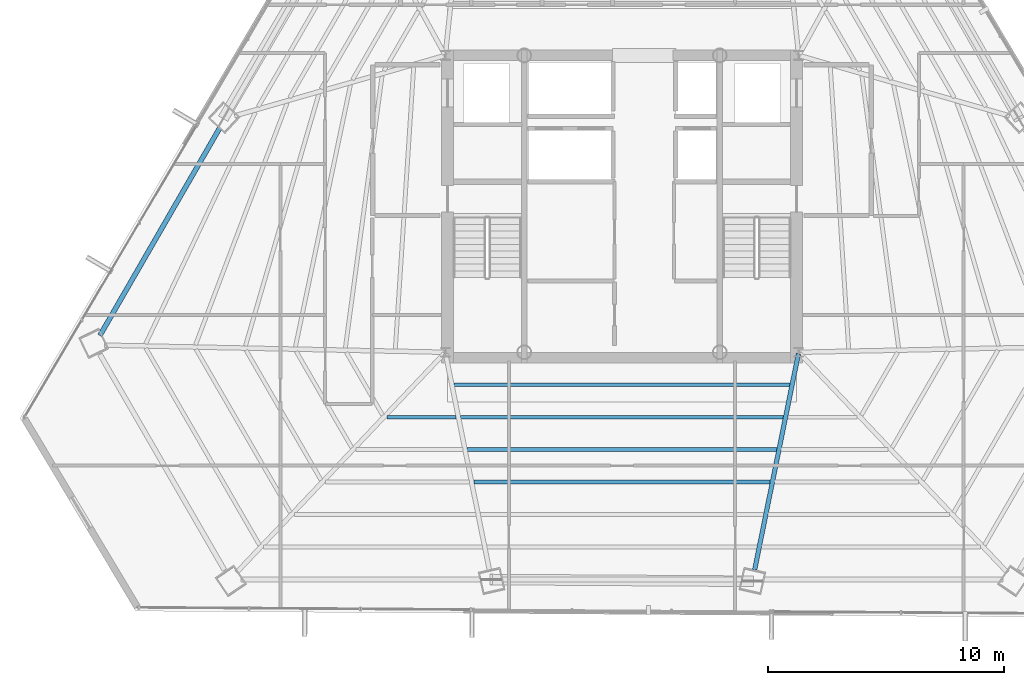
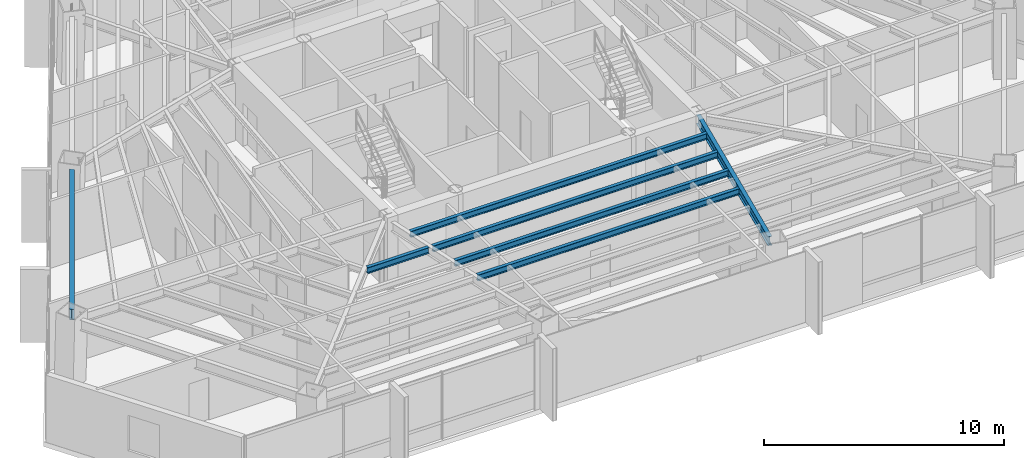
# One storey, part 11 of 41: 7 beams.
"""IFC4 building model written with IfcOpenShell, lengths in metres."""

from ifc_helpers import new_model, si_unit, direction, frame, origin, origin_2d, place, context, subcontext, project, spatial, i_section, extrude, source, transform, mapped, material, material_profile, profile_set, type_object, type_shapes, element, save


model = new_model("IFC4")

# Units and contexts
model_context = context("Model", 3, precision=1e-05, world=origin(), true_north=direction((0.0, 1.0)))
body_context = subcontext(model_context, "Body", "Model", "MODEL_VIEW")
ifc_project = project(units=[si_unit("LENGTHUNIT", "METRE"), si_unit("AREAUNIT", "SQUARE_METRE"), si_unit("VOLUMEUNIT", "CUBIC_METRE"), si_unit("PLANEANGLEUNIT", "RADIAN"), si_unit("MASSUNIT", "GRAM", prefix="KILO")], contexts=[model_context])

# Site, building, storey
site_placement = place(None, origin())
site = spatial("IfcSite", under=ifc_project, at=site_placement, CompositionType="ELEMENT")
building_placement = place(site_placement, origin())
building = spatial("IfcBuilding", under=site, at=building_placement, Name="Caelisora Broadcast Tower", CompositionType="ELEMENT")
storey_placement = place(building_placement, frame((0.0, 0.0, 173.10009765625)))
storey = spatial("IfcBuildingStorey", under=building, at=storey_placement, Name="L45", CompositionType="ELEMENT", Elevation=173.10009765625)

# Beams
ifc_material = material(Name="Steel Grade 350 (AS/NZS 3679.1)", Category="steel")
ifc_material_profile_1 = material_profile(ifc_material, i_section(OverallWidth=0.208984375, OverallDepth=0.532958984375, WebThickness=0.01025390625, FlangeThickness=0.015625, at=origin_2d()), Name="Steel Grade 350 (AS/NZS 3679.1)")
ifc_profile_set_1 = profile_set([ifc_material_profile_1], Name="Steel Grade 350 (AS/NZS 3679.1)")
beam_type_1 = type_object("IfcBeamType", Name="PG05", PredefinedType="BEAM", material=ifc_profile_set_1)
shared_shape_1 = source(origin(), body_context, "Body", "SweptSolid", [
    extrude(i_section(OverallWidth=0.208984375, OverallDepth=0.532958984375, WebThickness=0.01025390625, FlangeThickness=0.015625, at=origin_2d()), origin(), (0.0, 0.0, 1.0), 10.174072265625),
])
type_shapes(beam_type_1, [shared_shape_1])
beam_1_placement = place(storey_placement, frame((20.92724609375, 26.920654296875, 3.13330078125), z_axis=(-0.50000771687, -0.866020948402, 0.0), x_axis=(0.866020948402, -0.50000771687, 0.0)))
element("IfcBeam", 1, at=beam_1_placement, inside=storey, type_object=beam_type_1, Name="L45 beam PG05", PredefinedType="BEAM", context=body_context, shape_type="MappedRepresentation", body=[
    mapped(shared_shape_1, transform((0.0, 0.0, 0.0), scale=1.0)),
])
ifc_material_profile_2 = material_profile(ifc_material, i_section(OverallWidth=0.19091796875, OverallDepth=0.46044921875, WebThickness=0.010009765625, FlangeThickness=0.01611328125, at=origin_2d()), Name="Steel Grade 350 (AS/NZS 3679.1)")
ifc_profile_set_2 = profile_set([ifc_material_profile_2], Name="Steel Grade 350 (AS/NZS 3679.1)")
beam_type_2 = type_object("IfcBeamType", Name="PG06", PredefinedType="BEAM", material=ifc_profile_set_2)
shared_shape_2 = source(origin(), body_context, "Body", "SweptSolid", [
    extrude(i_section(OverallWidth=0.19091796875, OverallDepth=0.46044921875, WebThickness=0.010009765625, FlangeThickness=0.01611328125, at=origin_2d()), origin(), (0.0, 0.0, 1.0), 9.361572265625),
])
type_shapes(beam_type_2, [shared_shape_2])
beam_2_placement = place(storey_placement, frame((45.488037109375, 17.34130859375, 3.169677734375), z_axis=(-0.198437648999, -0.980113513558, 0.0), x_axis=(0.980113513558, -0.198437648999, 0.0)))
element("IfcBeam", 2, at=beam_2_placement, inside=storey, type_object=beam_type_2, Name="L45 beam PG06", PredefinedType="BEAM", context=body_context, shape_type="MappedRepresentation", body=[
    mapped(shared_shape_2, transform((0.0, 0.0, 0.0), scale=1.0)),
])
ifc_material_profile_3 = material_profile(ifc_material, i_section(OverallWidth=0.166015625, OverallDepth=0.30712890625, WebThickness=0.006591796875, FlangeThickness=0.01171875, at=origin_2d()), Name="Steel Grade 350 (AS/NZS 3679.1)")
ifc_profile_set_3 = profile_set([ifc_material_profile_3], Name="Steel Grade 350 (AS/NZS 3679.1)")
beam_type_3 = type_object("IfcBeamType", Name="SB03", PredefinedType="JOIST", material=ifc_profile_set_3)
shared_shape_3 = source(origin(), body_context, "Body", "SweptSolid", [
    extrude(i_section(OverallWidth=0.166015625, OverallDepth=0.30712890625, WebThickness=0.006591796875, FlangeThickness=0.01171875, at=origin_2d()), origin(), (0.0, 0.0, 1.0), 2.94677734375),
])
beam_3_placement = place(storey_placement, frame((28.016845703125, 14.64404296875, 3.246337890625), z_axis=(1.0, 0.0, 0.0), x_axis=(0.0, 1.0, 0.0)))
element("IfcBeam", 3, at=beam_3_placement, inside=storey, type_object=beam_type_3, Name="L45 beam SB03", PredefinedType="JOIST", context=body_context, shape_type="MappedRepresentation", body=[
    mapped(shared_shape_3, transform((0.0, 0.0, 0.0), scale=1.0)),
])
shared_shape_4 = source(origin(), body_context, "Body", "SweptSolid", [
    extrude(i_section(OverallWidth=0.166015625, OverallDepth=0.30712890625, WebThickness=0.006591796875, FlangeThickness=0.01171875, at=origin_2d()), origin(), (0.0, 0.0, 1.0), 14.25341796875),
])
beam_4_placement = place(storey_placement, frame((30.873291015625, 16.02197265625, 3.246337890625), z_axis=(1.0, 0.0, 0.0), x_axis=(0.0, 1.0, 0.0)))
element("IfcBeam", 4, at=beam_4_placement, inside=storey, type_object=beam_type_3, Name="L45 beam SB03", PredefinedType="JOIST", context=body_context, shape_type="MappedRepresentation", body=[
    mapped(shared_shape_4, transform((0.0, 0.0, 0.0), scale=1.0)),
])
shared_shape_5 = source(origin(), body_context, "Body", "SweptSolid", [
    extrude(i_section(OverallWidth=0.166015625, OverallDepth=0.30712890625, WebThickness=0.006591796875, FlangeThickness=0.01171875, at=origin_2d()), origin(), (0.0, 0.0, 1.0), 13.6953125),
])
beam_5_placement = place(storey_placement, frame((31.15234375, 14.64404296875, 3.246337890625), z_axis=(1.0, 0.0, 0.0), x_axis=(0.0, 1.0, 0.0)))
element("IfcBeam", 5, at=beam_5_placement, inside=storey, type_object=beam_type_3, Name="L45 beam SB03", PredefinedType="JOIST", context=body_context, shape_type="MappedRepresentation", body=[
    mapped(shared_shape_5, transform((0.0, 0.0, 0.0), scale=1.0)),
])
shared_shape_6 = source(origin(), body_context, "Body", "SweptSolid", [
    extrude(i_section(OverallWidth=0.166015625, OverallDepth=0.30712890625, WebThickness=0.006591796875, FlangeThickness=0.01171875, at=origin_2d()), origin(), (0.0, 0.0, 1.0), 13.13720703125),
])
beam_6_placement = place(storey_placement, frame((31.431396484375, 13.26611328125, 3.246337890625), z_axis=(1.0, 0.0, 0.0), x_axis=(0.0, 1.0, 0.0)))
element("IfcBeam", 6, at=beam_6_placement, inside=storey, type_object=beam_type_3, Name="L45 beam SB03", PredefinedType="JOIST", context=body_context, shape_type="MappedRepresentation", body=[
    mapped(shared_shape_6, transform((0.0, 0.0, 0.0), scale=1.0)),
])
shared_shape_7 = source(origin(), body_context, "Body", "SweptSolid", [
    extrude(i_section(OverallWidth=0.166015625, OverallDepth=0.30712890625, WebThickness=0.006591796875, FlangeThickness=0.01171875, at=origin_2d()), origin(), (0.0, 0.0, 1.0), 12.5791015625),
])
type_shapes(beam_type_3, [shared_shape_3, shared_shape_4, shared_shape_5, shared_shape_6, shared_shape_7])
beam_7_placement = place(storey_placement, frame((31.71044921875, 11.88818359375, 3.246337890625), z_axis=(1.0, 0.0, 0.0), x_axis=(0.0, 1.0, 0.0)))
element("IfcBeam", 7, at=beam_7_placement, inside=storey, type_object=beam_type_3, Name="L45 beam SB03", PredefinedType="JOIST", context=body_context, shape_type="MappedRepresentation", body=[
    mapped(shared_shape_7, transform((0.0, 0.0, 0.0), scale=1.0)),
])

save(model, "model.ifc")
